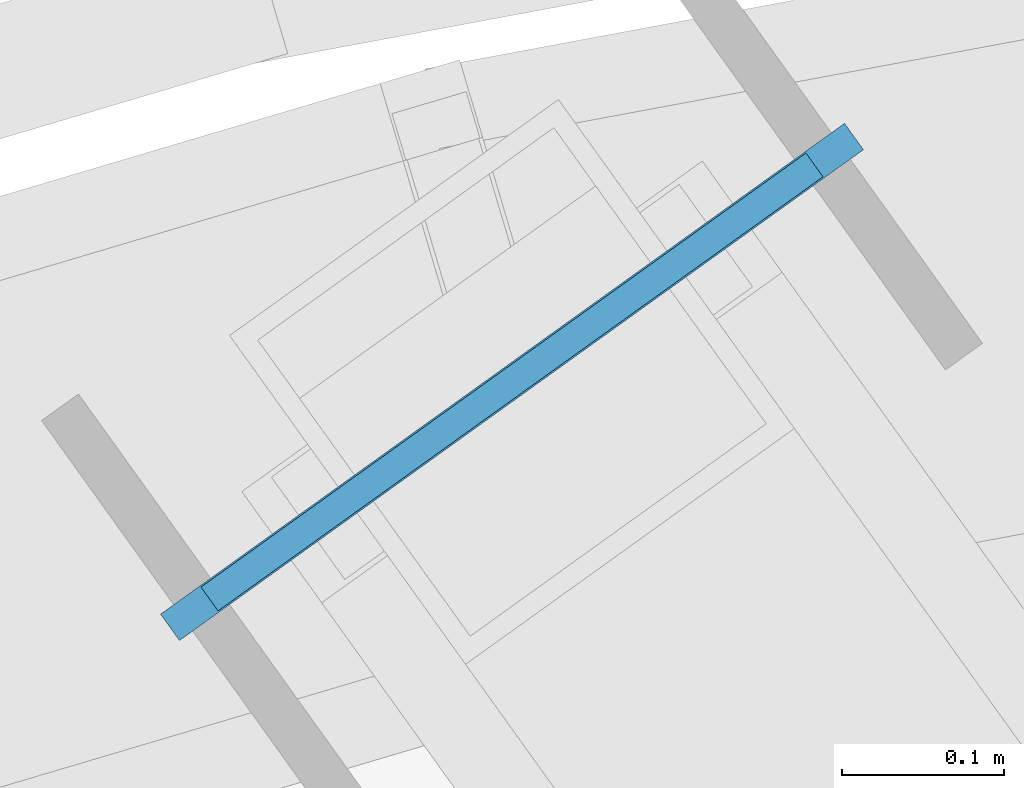
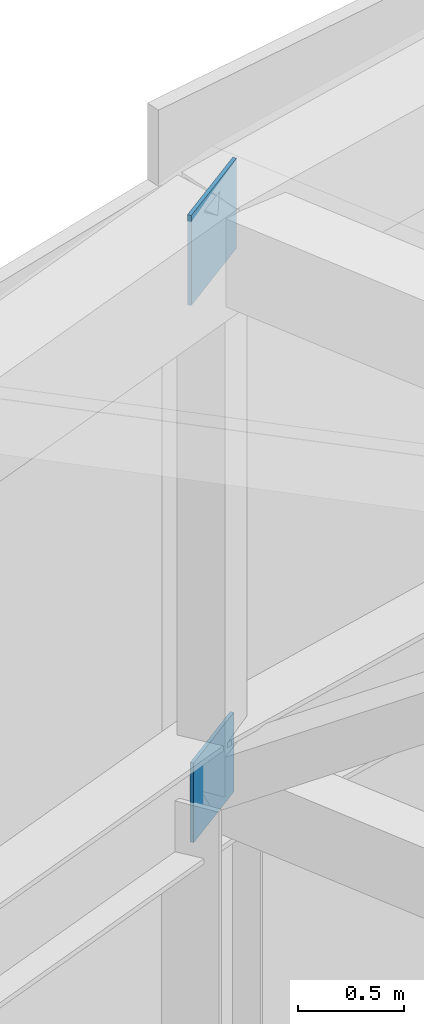
# One storey, part 132 of 143: 2 plates.
"""IFC4 building model written with IfcOpenShell, lengths in metres."""

from ifc_helpers import new_model, si_unit, direction, frame, origin, origin_2d, place, context, subcontext, project, spatial, rectangle, extrude, material, layer, layer_set, type_object, element, save


model = new_model("IFC4")

# Units and contexts
model_context = context("Model", 3, precision=1e-05, world=origin(), true_north=direction((0.0, 1.0)))
body_context = subcontext(model_context, "Body", "Model", "MODEL_VIEW")
ifc_project = project(units=[si_unit("LENGTHUNIT", "METRE"), si_unit("AREAUNIT", "SQUARE_METRE"), si_unit("VOLUMEUNIT", "CUBIC_METRE"), si_unit("PLANEANGLEUNIT", "RADIAN"), si_unit("MASSUNIT", "GRAM", prefix="KILO")], contexts=[model_context])

# Site, building, storey
site_placement = place(None, origin())
site = spatial("IfcSite", under=ifc_project, at=site_placement, CompositionType="ELEMENT")
building_placement = place(site_placement, origin())
building = spatial("IfcBuilding", under=site, at=building_placement, Name="Mphavela Belvedere Stadium", CompositionType="ELEMENT")
storey_placement = place(building_placement, frame((0.0, 0.0, 28.800048828125)))
storey = spatial("IfcBuildingStorey", under=building, at=storey_placement, Name="RF", CompositionType="ELEMENT", Elevation=28.800048828125)

# Plates
ifc_material_1 = material(Name="Steel S355", Category="steel")
ifc_layer_1 = layer(ifc_material_1, 0.01806640625)
ifc_layer_set_1 = layer_set([ifc_layer_1], Name="Steel S355")
plate_type_1 = type_object("IfcPlateType", Name="PLT-CAP-TRUSS-BC", PredefinedType="USERDEFINED", material=ifc_layer_set_1)
plate_1_placement = place(storey_placement, frame((65.19873046875, 156.39697265625, 8.875), z_axis=(0.0, 0.0, 1.0), x_axis=(-0.582974127943, 0.812490717577, 0.0)))
element("IfcPlate", 1, at=plate_1_placement, inside=storey, type_object=plate_type_1, Name="Roof truss RT-16 hollow-end cap plate out_bc", ObjectType="GUSSET_PLATE", PredefinedType="USERDEFINED", context=body_context, shape_type="SweptSolid", body=[
    extrude(rectangle(XDim=0.01806640625, YDim=0.4599609375, at=origin_2d()), origin(), (0.0, 0.0, 1.0), 0.4599609375),
])
ifc_material_2 = material(Name="Steel S355", Category="steel")
ifc_layer_2 = layer(ifc_material_2, 0.02001953125)
ifc_layer_set_2 = layer_set([ifc_layer_2], Name="Steel S355")
plate_type_2 = type_object("IfcPlateType", Name="PLT-CAP-TRUSS-TC", PredefinedType="USERDEFINED", material=ifc_layer_set_2)
plate_2_placement = place(storey_placement, frame((65.19873046875, 156.39697265625, 11.9951171875), z_axis=(0.0, 0.0, 1.0), x_axis=(-0.582974127943, 0.812490717577, 0.0)))
element("IfcPlate", 2, at=plate_2_placement, inside=storey, type_object=plate_type_2, Name="Roof truss RT-16 hollow-end cap plate out_tc", ObjectType="GUSSET_PLATE", PredefinedType="USERDEFINED", context=body_context, shape_type="SweptSolid", body=[
    extrude(rectangle(XDim=0.02001953125, YDim=0.52001953125, at=origin_2d()), origin(), (0.0, 0.0, 1.0), 0.52001953125),
])

save(model, "model.ifc")
